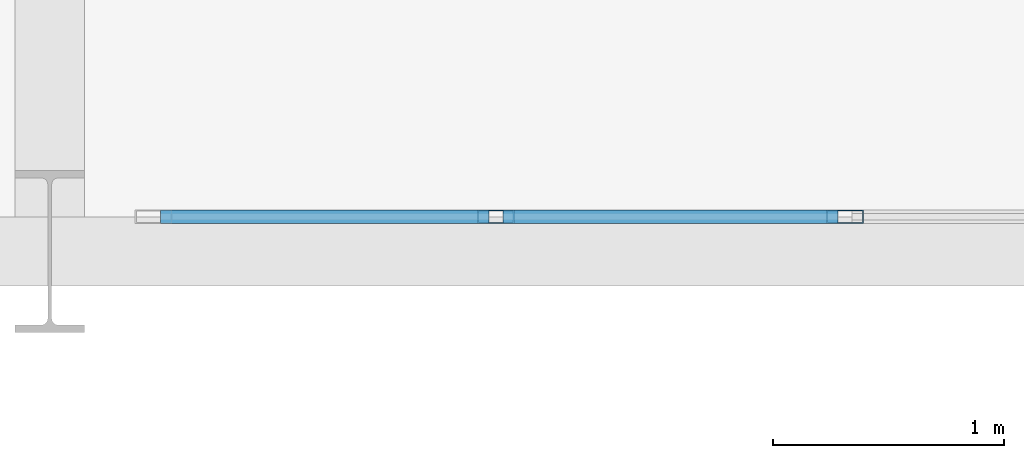
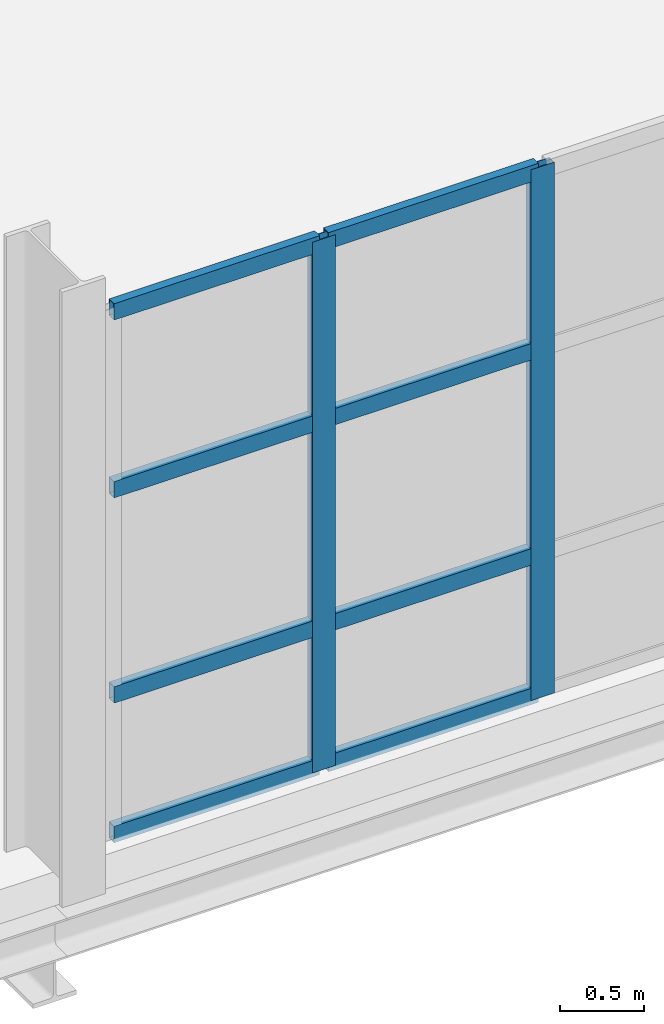
# One storey, part 12 of 130: 10 members, 1 element without a shape of its own.
"""IFC4 building model written with IfcOpenShell, lengths in metres."""

from ifc_helpers import new_model, si_unit, direction, frame, origin, origin_2d, place, context, subcontext, project, spatial, hollow_rectangle, extrude, material, material_profile, profile_set, type_object, element, aggregate, save


model = new_model("IFC4")

# Units and contexts
model_context = context("Model", 3, precision=1e-05, world=origin(), true_north=direction((0.0, 1.0)))
body_context = subcontext(model_context, "Body", "Model", "MODEL_VIEW")
ifc_project = project(units=[si_unit("LENGTHUNIT", "METRE"), si_unit("AREAUNIT", "SQUARE_METRE"), si_unit("VOLUMEUNIT", "CUBIC_METRE"), si_unit("PLANEANGLEUNIT", "RADIAN"), si_unit("MASSUNIT", "GRAM", prefix="KILO")], contexts=[model_context])

# Site, building, storey
site_placement = place(None, origin())
site = spatial("IfcSite", under=ifc_project, at=site_placement, CompositionType="ELEMENT")
building_placement = place(site_placement, origin())
building = spatial("IfcBuilding", under=site, at=building_placement, Name="Veltarok Museum of Natural Sciences", CompositionType="ELEMENT")
storey_placement = place(building_placement, frame((0.0, 0.0, 12.89990234375)))
storey = spatial("IfcBuildingStorey", under=building, at=storey_placement, Name="L02", CompositionType="ELEMENT", Elevation=12.89990234375)

# Curtain wall, members
ifc_material_1 = material(Name="Low-iron triple insulated glass", Category="glass")
curtain_wall_type = type_object("IfcCurtainWallType", Name="Curtain Wall System CW-BRG-S-L02-2-756x388 (Bridge South Cantilever L02 2-3 756x388cm)", PredefinedType="NOTDEFINED", material=ifc_material_1)
curtain_wall_placement = place(storey_placement, origin())
curtain_wall = element("IfcCurtainWall", 1, at=curtain_wall_placement, inside=storey, type_object=curtain_wall_type, Name="Curtain Wall CW-BRG-S-L02-2-756x388 CW-0028", PredefinedType="NOTDEFINED")
ifc_material_2 = material(Name="Thermally broken anodised aluminium", Category="aluminium")
ifc_material_profile_1 = material_profile(ifc_material_2, hollow_rectangle(XDim=0.06005859375, YDim=0.1201171875, WallThickness=0.0048828125, at=origin_2d()), Name="CW TRANSOM 60x120x5")
ifc_profile_set_1 = profile_set([ifc_material_profile_1], Name="Thermally broken anodised aluminium")
member_type_1 = type_object("IfcMemberType", Name="Curtain Wall Horizontal Transom 60x120x5", PredefinedType="USERDEFINED", material=ifc_profile_set_1)
member_1_placement = place(storey_placement, frame((15.280029296875, 5.85009765625, 0.030029296875), z_axis=(1.0, 0.0, 0.0), x_axis=(0.0, 1.0, 0.0)))
member_1 = element("IfcMember", 2, at=member_1_placement, type_object=member_type_1, Name="CW-BRG-S-L02-2-756x388 transom 1.1", ObjectType="TRANSOM", PredefinedType="USERDEFINED", context=body_context, shape_type="SweptSolid", body=[
    extrude(hollow_rectangle(XDim=0.06005859375, YDim=0.1201171875, WallThickness=0.0048828125, at=origin_2d()), origin(), (0.0, 0.0, 1.0), 1.421875),
])
member_2_placement = place(storey_placement, frame((15.280029296875, 5.85009765625, 1.050048828125), z_axis=(1.0, 0.0, 0.0), x_axis=(0.0, 1.0, 0.0)))
member_2 = element("IfcMember", 3, at=member_2_placement, type_object=member_type_1, Name="CW-BRG-S-L02-2-756x388 transom 1.2", ObjectType="TRANSOM", PredefinedType="USERDEFINED", context=body_context, shape_type="SweptSolid", body=[
    extrude(hollow_rectangle(XDim=0.06005859375, YDim=0.1201171875, WallThickness=0.0048828125, at=origin_2d()), origin(), (0.0, 0.0, 1.0), 1.421875),
])
member_3_placement = place(storey_placement, frame((15.280029296875, 5.85009765625, 2.550048828125), z_axis=(1.0, 0.0, 0.0), x_axis=(0.0, 1.0, 0.0)))
member_3 = element("IfcMember", 4, at=member_3_placement, type_object=member_type_1, Name="CW-BRG-S-L02-2-756x388 transom 1.3", ObjectType="TRANSOM", PredefinedType="USERDEFINED", context=body_context, shape_type="SweptSolid", body=[
    extrude(hollow_rectangle(XDim=0.06005859375, YDim=0.1201171875, WallThickness=0.0048828125, at=origin_2d()), origin(), (0.0, 0.0, 1.0), 1.421875),
])
member_4_placement = place(storey_placement, frame((15.280029296875, 5.85009765625, 3.85009765625), z_axis=(1.0, 0.0, 0.0), x_axis=(0.0, 1.0, 0.0)))
member_4 = element("IfcMember", 5, at=member_4_placement, type_object=member_type_1, Name="CW-BRG-S-L02-2-756x388 transom 1.4", ObjectType="TRANSOM", PredefinedType="USERDEFINED", context=body_context, shape_type="SweptSolid", body=[
    extrude(hollow_rectangle(XDim=0.06005859375, YDim=0.1201171875, WallThickness=0.0048828125, at=origin_2d()), origin(), (0.0, 0.0, 1.0), 1.421875),
])
member_5_placement = place(storey_placement, frame((16.761962890625, 5.85009765625, 0.030029296875), z_axis=(1.0, 0.0, 0.0), x_axis=(0.0, 1.0, 0.0)))
member_5 = element("IfcMember", 6, at=member_5_placement, type_object=member_type_1, Name="CW-BRG-S-L02-2-756x388 transom 2.1", ObjectType="TRANSOM", PredefinedType="USERDEFINED", context=body_context, shape_type="SweptSolid", body=[
    extrude(hollow_rectangle(XDim=0.06005859375, YDim=0.1201171875, WallThickness=0.0048828125, at=origin_2d()), origin(), (0.0, 0.0, 1.0), 1.4521484375),
])
member_6_placement = place(storey_placement, frame((16.761962890625, 5.85009765625, 1.050048828125), z_axis=(1.0, 0.0, 0.0), x_axis=(0.0, 1.0, 0.0)))
member_6 = element("IfcMember", 7, at=member_6_placement, type_object=member_type_1, Name="CW-BRG-S-L02-2-756x388 transom 2.2", ObjectType="TRANSOM", PredefinedType="USERDEFINED", context=body_context, shape_type="SweptSolid", body=[
    extrude(hollow_rectangle(XDim=0.06005859375, YDim=0.1201171875, WallThickness=0.0048828125, at=origin_2d()), origin(), (0.0, 0.0, 1.0), 1.4521484375),
])
member_7_placement = place(storey_placement, frame((16.761962890625, 5.85009765625, 2.550048828125), z_axis=(1.0, 0.0, 0.0), x_axis=(0.0, 1.0, 0.0)))
member_7 = element("IfcMember", 8, at=member_7_placement, type_object=member_type_1, Name="CW-BRG-S-L02-2-756x388 transom 2.3", ObjectType="TRANSOM", PredefinedType="USERDEFINED", context=body_context, shape_type="SweptSolid", body=[
    extrude(hollow_rectangle(XDim=0.06005859375, YDim=0.1201171875, WallThickness=0.0048828125, at=origin_2d()), origin(), (0.0, 0.0, 1.0), 1.4521484375),
])
member_8_placement = place(storey_placement, frame((16.761962890625, 5.85009765625, 3.85009765625), z_axis=(1.0, 0.0, 0.0), x_axis=(0.0, 1.0, 0.0)))
member_8 = element("IfcMember", 9, at=member_8_placement, type_object=member_type_1, Name="CW-BRG-S-L02-2-756x388 transom 2.4", ObjectType="TRANSOM", PredefinedType="USERDEFINED", context=body_context, shape_type="SweptSolid", body=[
    extrude(hollow_rectangle(XDim=0.06005859375, YDim=0.1201171875, WallThickness=0.0048828125, at=origin_2d()), origin(), (0.0, 0.0, 1.0), 1.4521484375),
])
ifc_material_profile_2 = material_profile(ifc_material_2, hollow_rectangle(XDim=0.06005859375, YDim=0.159912109375, WallThickness=0.0048828125, at=origin_2d()), Name="CW MULLION 60x160x5")
ifc_profile_set_2 = profile_set([ifc_material_profile_2], Name="Thermally broken anodised aluminium")
member_type_2 = type_object("IfcMemberType", Name="Curtain Wall Vertical Mullion 60x160x5", PredefinedType="MULLION", material=ifc_profile_set_2)
member_9_placement = place(storey_placement, frame((16.73193359375, 5.85009765625, 0.0), z_axis=(0.0, 0.0, 1.0), x_axis=(0.0, 1.0, 0.0)))
member_9 = element("IfcMember", 10, at=member_9_placement, type_object=member_type_2, Name="CW-BRG-S-L02-2-756x388 mullion 2", PredefinedType="MULLION", context=body_context, shape_type="SweptSolid", body=[
    extrude(hollow_rectangle(XDim=0.06005859375, YDim=0.159912109375, WallThickness=0.0048828125, at=origin_2d()), origin(), (0.0, 0.0, 1.0), 3.880126953125),
])
member_10_placement = place(storey_placement, frame((18.243896484375, 5.85009765625, 0.0), z_axis=(0.0, 0.0, 1.0), x_axis=(0.0, 1.0, 0.0)))
member_10 = element("IfcMember", 11, at=member_10_placement, type_object=member_type_2, Name="CW-BRG-S-L02-2-756x388 mullion 3", PredefinedType="MULLION", context=body_context, shape_type="SweptSolid", body=[
    extrude(hollow_rectangle(XDim=0.06005859375, YDim=0.159912109375, WallThickness=0.0048828125, at=origin_2d()), origin(), (0.0, 0.0, 1.0), 3.880126953125),
])
aggregate(curtain_wall, [member_9, member_10, member_1, member_2, member_3, member_4, member_5, member_6, member_7, member_8])

save(model, "model.ifc")
